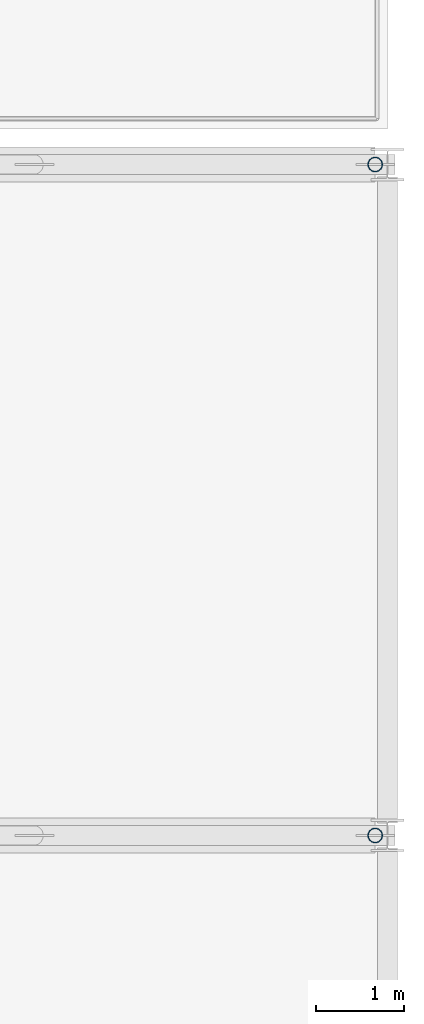
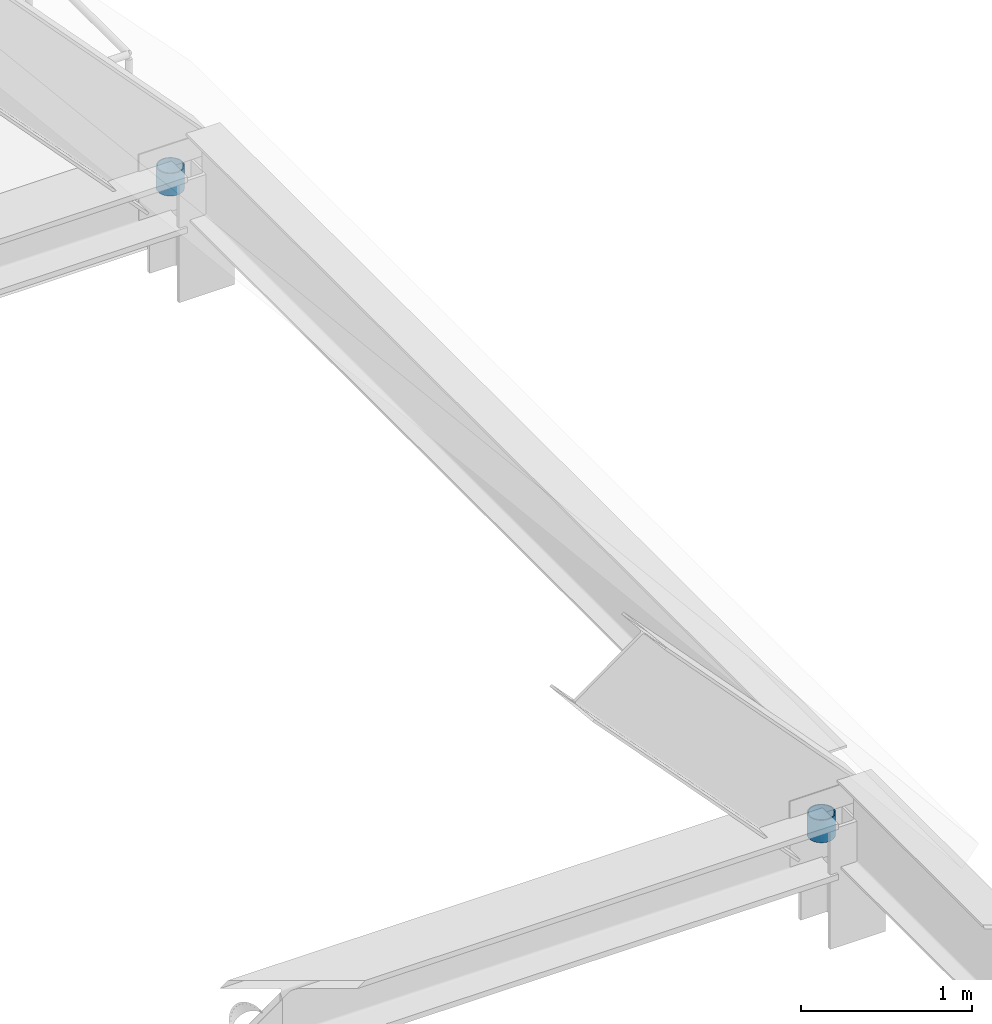
# One storey, part 70 of 100: 2 members.
"""IFC4 building model written with IfcOpenShell, lengths in metres."""

from ifc_helpers import new_model, si_unit, direction, frame, origin, origin_2d, place, context, subcontext, project, spatial, hollow_circle, extrude, material, material_profile, profile_set, type_object, element, save


model = new_model("IFC4")

# Units and contexts
model_context = context("Model", 3, precision=1e-05, world=origin(), true_north=direction((0.0, 1.0)))
body_context = subcontext(model_context, "Body", "Model", "MODEL_VIEW")
ifc_project = project(units=[si_unit("LENGTHUNIT", "METRE"), si_unit("AREAUNIT", "SQUARE_METRE"), si_unit("VOLUMEUNIT", "CUBIC_METRE"), si_unit("PLANEANGLEUNIT", "RADIAN"), si_unit("MASSUNIT", "GRAM", prefix="KILO")], contexts=[model_context])

# Site, building, storey
site_placement = place(None, origin())
site = spatial("IfcSite", under=ifc_project, at=site_placement, CompositionType="ELEMENT")
building_placement = place(site_placement, origin())
building = spatial("IfcBuilding", under=site, at=building_placement, Name="Zulena Civic Courthouse", CompositionType="ELEMENT")
storey_placement = place(building_placement, frame((0.0, 0.0, 20.39990234375)))
storey = spatial("IfcBuildingStorey", under=building, at=storey_placement, Name="L04", CompositionType="ELEMENT", Elevation=20.39990234375)

# Members
ifc_material = material(Name="Steel ASTM A500 Grade C", Category="steel")
ifc_material_profile = material_profile(ifc_material, hollow_circle(Radius=0.083984375, WallThickness=0.00732421875, at=origin_2d()), Name="HSS6.625X0.312")
ifc_profile_set = profile_set([ifc_material_profile], Name="Steel ASTM A500 Grade C")
member_type = type_object("IfcMemberType", Name="RoofWeb_CHS6", PredefinedType="USERDEFINED", material=ifc_profile_set)
for number, where, z_axis, x_axis, name in (
    (1, (171.860107421875, 22.800048828125, 0.496337890625), (0.0, 0.0, 1.0), (1.0, 0.0, 0.0), "mem:fold:postE:07:22.8"),
    (2, (171.860107421875, 30.39990234375, 0.496337890625), (0.0, 0.0, 1.0), (1.0, 0.0, 0.0), "mem:fold:postE:07:30.4"),
):
    element("IfcMember", number, at=place(storey_placement, frame(where, z_axis=z_axis, x_axis=x_axis)), inside=storey, type_object=member_type, Name=name, ObjectType="ROOF TRUSS", PredefinedType="USERDEFINED", context=body_context, shape_type="SweptSolid", body=[
        extrude(hollow_circle(Radius=0.083984375, WallThickness=0.00732421875, at=origin_2d()), origin(), (0.0, 0.0, 1.0), 0.159912109375),
    ])

save(model, "model.ifc")
